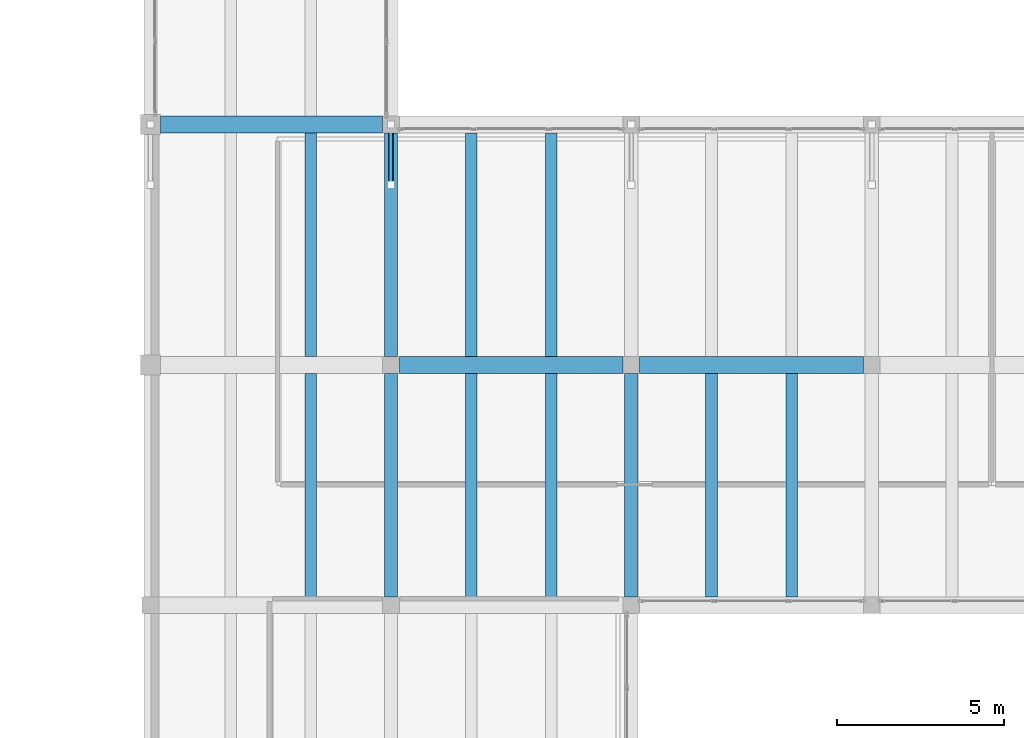
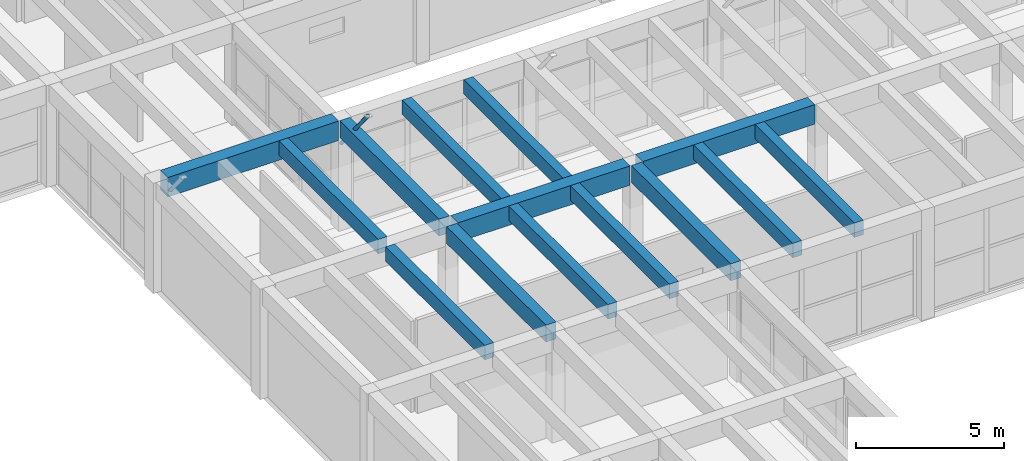
# One storey, part 69 of 153: 14 beams, 1 member.
"""IFC4 building model written with IfcOpenShell, lengths in metres."""

from ifc_helpers import new_model, si_unit, direction, frame, origin, origin_2d, place, context, subcontext, project, spatial, rectangle, hollow_circle, extrude, material, material_profile, profile_set, type_object, element, save


model = new_model("IFC4")

# Units and contexts
model_context = context("Model", 3, precision=1e-05, world=origin(), true_north=direction((0.0, 1.0)))
body_context = subcontext(model_context, "Body", "Model", "MODEL_VIEW")
ifc_project = project(units=[si_unit("LENGTHUNIT", "METRE"), si_unit("AREAUNIT", "SQUARE_METRE"), si_unit("VOLUMEUNIT", "CUBIC_METRE"), si_unit("PLANEANGLEUNIT", "RADIAN"), si_unit("MASSUNIT", "GRAM", prefix="KILO")], contexts=[model_context])

# Site, building, storey
site_placement = place(None, origin())
site = spatial("IfcSite", under=ifc_project, at=site_placement, CompositionType="ELEMENT")
building_placement = place(site_placement, origin())
building = spatial("IfcBuilding", under=site, at=building_placement, Name="Bramvelor Terrace Health Centre", CompositionType="ELEMENT")
storey_placement = place(building_placement, frame((0.0, 0.0, 4.800048828125)))
storey = spatial("IfcBuildingStorey", under=building, at=storey_placement, Name="L02", CompositionType="ELEMENT", Elevation=4.800048828125)

# Beams
ifc_material_1 = material(Name="Concrete C40/50", Category="concrete")
ifc_material_profile_1 = material_profile(ifc_material_1, rectangle(XDim=0.39990234375, YDim=0.699951171875, at=origin_2d()), Name="RC 400x700")
ifc_profile_set_1 = profile_set([ifc_material_profile_1], Name="Concrete C40/50")
beam_type_1 = type_object("IfcBeamType", Name="BM-RC-G700", PredefinedType="BEAM", material=ifc_profile_set_1)
for number, where, z_axis, x_axis, name in (
    (1, (50.39990234375, 65.050048828125, 4.199951171875), (0.0, 1.0, 0.0), (-1.0, 0.0, 0.0), "L02 Floor Girder"),
    (2, (50.39990234375, 72.25, 4.199951171875), (0.0, 1.0, 0.0), (-1.0, 0.0, 0.0), "L02 Floor Girder"),
    (3, (57.60009765625, 65.050048828125, 4.199951171875), (0.0, 1.0, 0.0), (-1.0, 0.0, 0.0), "L02 Floor Girder"),
):
    element("IfcBeam", number, at=place(storey_placement, frame(where, z_axis=z_axis, x_axis=x_axis)), inside=storey, type_object=beam_type_1, Name=name, PredefinedType="BEAM", context=body_context, shape_type="SweptSolid", body=[
        extrude(rectangle(XDim=0.39990234375, YDim=0.699951171875, at=origin_2d()), origin(), (0.0, 0.0, 1.0), 6.699951171875),
    ])
ifc_material_2 = material(Name="Concrete C40/50", Category="concrete")
ifc_material_profile_2 = material_profile(ifc_material_2, rectangle(XDim=0.5, YDim=0.800048828125, at=origin_2d()), Name="RC 500x800")
ifc_profile_set_2 = profile_set([ifc_material_profile_2], Name="Concrete C40/50")
beam_type_2 = type_object("IfcBeamType", Name="BM-RC-G800", PredefinedType="BEAM", material=ifc_profile_set_2)
beam_1_placement = place(storey_placement, frame((43.5, 79.199951171875, 4.14990234375), z_axis=(1.0, 0.0, 0.0), x_axis=(0.0, 1.0, 0.0)))
element("IfcBeam", 4, at=beam_1_placement, inside=storey, type_object=beam_type_2, Name="L02 Floor Girder", PredefinedType="BEAM", context=body_context, shape_type="SweptSolid", body=[
    extrude(rectangle(XDim=0.5, YDim=0.800048828125, at=origin_2d()), origin(), (0.0, 0.0, 1.0), 6.64990234375),
])
beam_2_placement = place(storey_placement, frame((50.64990234375, 72.0, 4.14990234375), z_axis=(1.0, 0.0, 0.0), x_axis=(0.0, 1.0, 0.0)))
element("IfcBeam", 5, at=beam_2_placement, inside=storey, type_object=beam_type_2, Name="L02 Floor Girder", PredefinedType="BEAM", context=body_context, shape_type="SweptSolid", body=[
    extrude(rectangle(XDim=0.5, YDim=0.800048828125, at=origin_2d()), origin(), (0.0, 0.0, 1.0), 6.7001953125),
])
beam_3_placement = place(storey_placement, frame((57.85009765625, 72.0, 4.14990234375), z_axis=(1.0, 0.0, 0.0), x_axis=(0.0, 1.0, 0.0)))
element("IfcBeam", 6, at=beam_3_placement, inside=storey, type_object=beam_type_2, Name="L02 Floor Girder", PredefinedType="BEAM", context=body_context, shape_type="SweptSolid", body=[
    extrude(rectangle(XDim=0.5, YDim=0.800048828125, at=origin_2d()), origin(), (0.0, 0.0, 1.0), 6.699951171875),
])
ifc_material_3 = material(Name="Concrete C40/50", Category="concrete")
ifc_material_profile_3 = material_profile(ifc_material_3, rectangle(XDim=0.35009765625, YDim=0.60009765625, at=origin_2d()), Name="RC 350x600")
ifc_profile_set_3 = profile_set([ifc_material_profile_3], Name="Concrete C40/50")
beam_type_3 = type_object("IfcBeamType", Name="BM-RC-J600", PredefinedType="JOIST", material=ifc_profile_set_3)
for number, where, z_axis, x_axis, name in (
    (7, (48.0, 65.050048828125, 4.25), (0.0, 1.0, 0.0), (-1.0, 0.0, 0.0), "L02 Secondary Floor Joist"),
    (8, (48.0, 72.25, 4.25), (0.0, 1.0, 0.0), (-1.0, 0.0, 0.0), "L02 Secondary Floor Joist"),
    (9, (52.800048828125, 65.050048828125, 4.25), (0.0, 1.0, 0.0), (-1.0, 0.0, 0.0), "L02 Secondary Floor Joist"),
    (10, (55.199951171875, 65.050048828125, 4.25), (0.0, 1.0, 0.0), (-1.0, 0.0, 0.0), "L02 Secondary Floor Joist"),
    (11, (52.800048828125, 72.25, 4.25), (0.0, 1.0, 0.0), (-1.0, 0.0, 0.0), "L02 Secondary Floor Joist"),
    (12, (55.199951171875, 72.25, 4.25), (0.0, 1.0, 0.0), (-1.0, 0.0, 0.0), "L02 Secondary Floor Joist"),
    (13, (60.0, 65.050048828125, 4.25), (0.0, 1.0, 0.0), (-1.0, 0.0, 0.0), "L02 Secondary Floor Joist"),
    (14, (62.39990234375, 65.050048828125, 4.25), (0.0, 1.0, 0.0), (-1.0, 0.0, 0.0), "L02 Secondary Floor Joist"),
):
    element("IfcBeam", number, at=place(storey_placement, frame(where, z_axis=z_axis, x_axis=x_axis)), inside=storey, type_object=beam_type_3, Name=name, PredefinedType="JOIST", context=body_context, shape_type="SweptSolid", body=[
        extrude(rectangle(XDim=0.35009765625, YDim=0.60009765625, at=origin_2d()), origin(), (0.0, 0.0, 1.0), 6.699951171875),
    ])

# Member
ifc_material_4 = material(Name="Steel S355J2", Category="steel")
ifc_material_profile_4 = material_profile(ifc_material_4, hollow_circle(Radius=0.06982421875, WallThickness=0.0048828125, at=origin_2d()), Name="CHS 139.7x5.0")
ifc_profile_set_4 = profile_set([ifc_material_profile_4], Name="Steel S355J2")
member_type = type_object("IfcMemberType", Name="MEM-STL-CHS139", PredefinedType="STRUT", material=ifc_profile_set_4)
member_placement = place(storey_placement, frame((50.39990234375, 79.199951171875, 3.39990234375), z_axis=(0.0, -0.62952484871, 0.776980350367), x_axis=(1.0, 0.0, 0.0)))
element("IfcMember", 15, at=member_placement, inside=storey, type_object=member_type, Name="Waiting Hall Storm-Eave Knee Strut N2", PredefinedType="STRUT", context=body_context, shape_type="SweptSolid", body=[
    extrude(hollow_circle(Radius=0.06982421875, WallThickness=0.0048828125, at=origin_2d()), origin(), (0.0, 0.0, 1.0), 2.859375),
])

save(model, "model.ifc")
